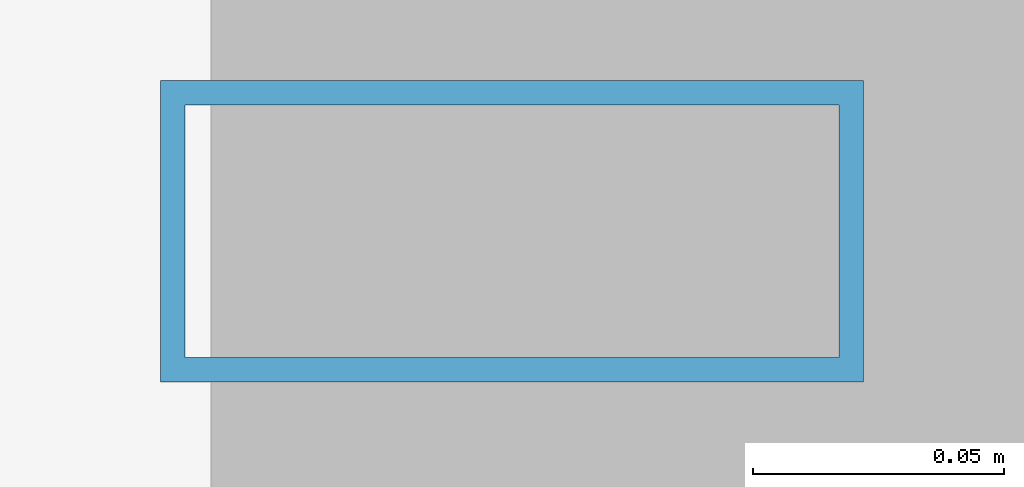
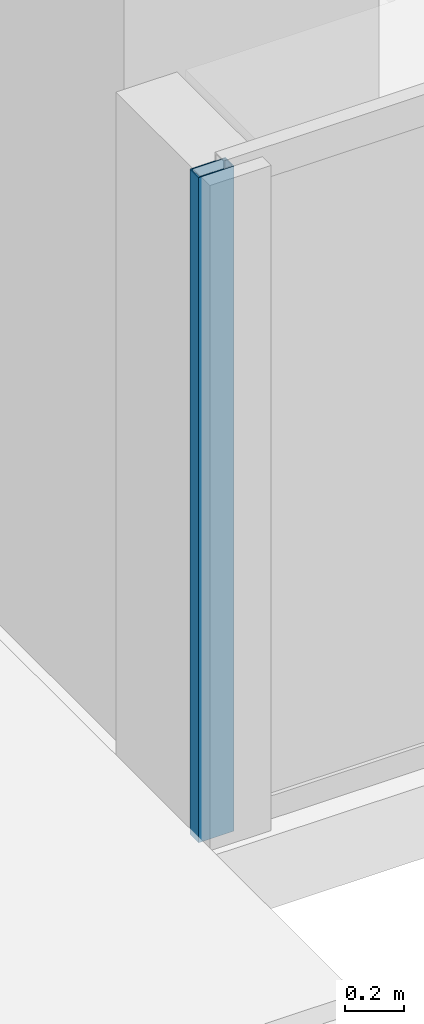
# One storey, part 6 of 30: 1 member, 1 element without a shape of its own.
"""IFC4 building model written with IfcOpenShell, lengths in metres."""

from ifc_helpers import new_model, si_unit, direction, frame, origin, origin_2d, place, context, subcontext, project, spatial, hollow_rectangle, extrude, source, transform, mapped, material, layer, layer_set, material_profile, profile_set, type_object, element, aggregate, save


model = new_model("IFC4")

# Units and contexts
model_context = context("Model", 3, precision=1e-05, world=origin(), true_north=direction((0.0, 1.0)))
body_context = subcontext(model_context, "Body", "Model", "MODEL_VIEW")
ifc_project = project(units=[si_unit("LENGTHUNIT", "METRE"), si_unit("AREAUNIT", "SQUARE_METRE"), si_unit("VOLUMEUNIT", "CUBIC_METRE"), si_unit("PLANEANGLEUNIT", "RADIAN"), si_unit("MASSUNIT", "GRAM", prefix="KILO")], contexts=[model_context])

# Site, building, storey
site_placement = place(None, origin())
site = spatial("IfcSite", under=ifc_project, at=site_placement, CompositionType="ELEMENT")
building_placement = place(site_placement, origin())
building = spatial("IfcBuilding", under=site, at=building_placement, Name="Sumidabori Civic Tower", CompositionType="ELEMENT")
storey_placement = place(building_placement, frame((0.0, 0.0, 196.39990234375)))
storey = spatial("IfcBuildingStorey", under=building, at=storey_placement, Name="L50", CompositionType="ELEMENT", Elevation=196.39990234375)

# Curtain wall, member
ifc_material = material(Name="Anodised Bronze Aluminium AW-6063-T6", Category="aluminium")
ifc_layer = layer(ifc_material, 0.179931640625, Name="Anodised Bronze Aluminium AW-6063-T6")
ifc_layer_set = layer_set([ifc_layer], Name="Anodised Bronze Aluminium AW-6063-T6")
curtain_wall_type = type_object("IfcCurtainWallType", Name="CW-SYS-5", PredefinedType="NOTDEFINED", material=ifc_layer_set)
curtain_wall_placement = place(storey_placement, origin())
curtain_wall = element("IfcCurtainWall", 1, at=curtain_wall_placement, inside=storey, type_object=curtain_wall_type, Name="Curtain Wall CW:L50:R09", PredefinedType="NOTDEFINED")
ifc_material_profile = material_profile(ifc_material, hollow_rectangle(XDim=0.06005859375, YDim=0.139892578125, WallThickness=0.0048828125, at=origin_2d()), Name="ALU MULLION 140x60")
ifc_profile_set = profile_set([ifc_material_profile], Name="Anodised Bronze Aluminium AW-6063-T6")
member_type = type_object("IfcMemberType", Name="CW-MUL-140", PredefinedType="MULLION", material=ifc_profile_set)
shared_shape = source(origin(), body_context, "Body", "SweptSolid", [
    extrude(hollow_rectangle(XDim=0.06005859375, YDim=0.139892578125, WallThickness=0.0048828125, at=origin_2d()), origin(), (0.0, 0.0, 1.0), 2.760009765625),
])
member_placement = place(storey_placement, frame((7.909912109375, -11.8798828125, 0.0), z_axis=(0.0, 0.0, 1.0), x_axis=(0.0, 1.0, 0.0)))
member = element("IfcMember", 2, at=member_placement, type_object=member_type, Name="CW-5 mullion 1", PredefinedType="MULLION", context=body_context, shape_type="MappedRepresentation", body=[
    mapped(shared_shape, transform((0.0, 0.0, 0.0), x_axis=(1.0, 0.0, 0.0), y_axis=(0.0, 1.0, 0.0), z_axis=(0.0, 0.0, 1.0), scale=1.0)),
])
aggregate(curtain_wall, [member])

save(model, "model.ifc")
